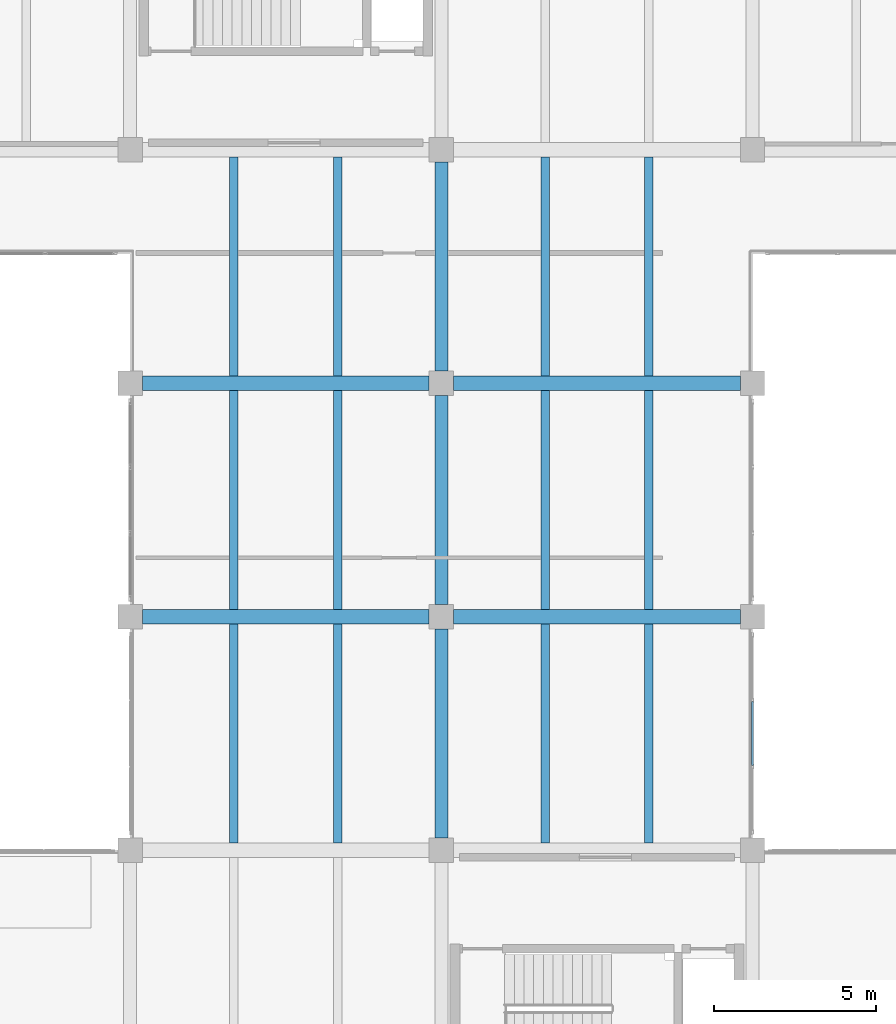
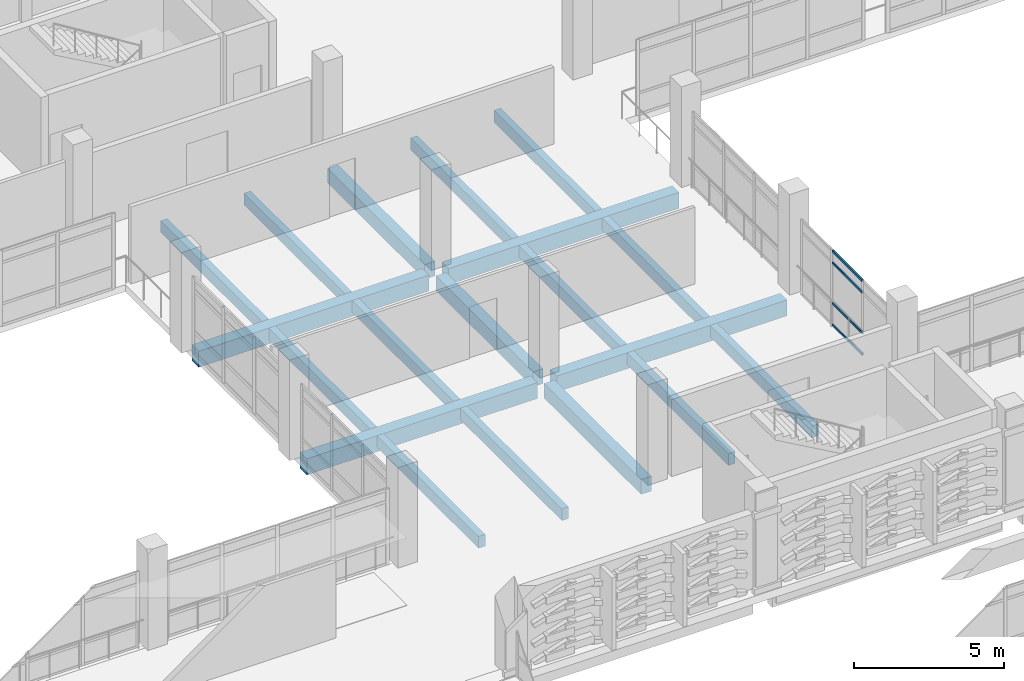
# One storey, part 95 of 180: 19 beams, 4 members, 1 element without a shape of its own.
"""IFC4 building model written with IfcOpenShell, lengths in metres."""

import ifcopenshell
import ifcopenshell.guid

model = None  # the IFC model being written
_history = None  # IfcOwnerHistory: only IFC2X3 demands one
_inside = {}  # id of a spatial element -> (the spatial element, [elements in it])
_under = {}  # id of a project, library or spatial element -> (it, [spatial elements below it])
_declared = {}  # id of a project -> (the project, [libraries it declares])
_typed = {}  # id of a type object -> (the type object, [elements of that type])
_made_of = {}  # id of a material, layer set ... -> (it, [elements and type objects made of it])


def new_model(schema):
    """Start an empty IFC model of exactly this schema.

    Asked for "IFC4X3", IfcOpenShell would pick the latest addendum, in which some entities
    have other attributes; the version numbers below select the first issue.
    IFC2X3 requires an IfcOwnerHistory on every rooted entity: one is made here for all.
    """
    global model, _history
    if schema == "IFC4X3":
        model = ifcopenshell.file(schema_version=(4, 3, 0, 0))
    else:
        model = ifcopenshell.file(schema=schema)
    _inside.clear()
    _under.clear()
    _declared.clear()
    _typed.clear()
    _made_of.clear()
    _history = None
    if model.schema == "IFC2X3":
        org = make("IfcOrganization", Name="unknown")
        user = make(
            "IfcPersonAndOrganization",
            ThePerson=make("IfcPerson", FamilyName="unknown"),
            TheOrganization=org,
        )
        app = make(
            "IfcApplication",
            ApplicationDeveloper=org,
            Version="unknown",
            ApplicationFullName="unknown",
            ApplicationIdentifier="unknown",
        )
        _history = make(
            "IfcOwnerHistory",
            OwningUser=user,
            OwningApplication=app,
            ChangeAction="ADDED",
            CreationDate=0,
        )
    return model


def make(cls, **values):
    """One entity of the class cls with the attributes given. An attribute that is None is left unset."""
    return model.create_entity(
        cls, **{name: value for name, value in values.items() if value is not None}
    )


def rooted(cls, **values):
    """An entity with a GlobalId (a new one), such as an element, a storey or a relation."""
    return make(cls, GlobalId=ifcopenshell.guid.new(), OwnerHistory=_history, **values)


def si_unit(unit_type, name, prefix=None):
    """IfcSIUnit, for example si_unit("LENGTHUNIT", "METRE", prefix="MILLI")."""
    return make("IfcSIUnit", UnitType=unit_type, Prefix=prefix, Name=name)


def assignment(units):
    """IfcUnitAssignment: the units of a project."""
    return None if units is None else make("IfcUnitAssignment", Units=units)


def point(xyz):
    """IfcCartesianPoint."""
    return None if xyz is None else make("IfcCartesianPoint", Coordinates=xyz)


def direction(xyz):
    """IfcDirection."""
    return None if xyz is None else make("IfcDirection", DirectionRatios=xyz)


def frame(location, z_axis=None, x_axis=None):
    """IfcAxis2Placement3D, a coordinate frame: its origin and axes. An axis left out is left unset."""
    return make(
        "IfcAxis2Placement3D",
        Location=point(location),
        Axis=direction(z_axis),
        RefDirection=direction(x_axis),
    )


def frame_2d(location, x_axis=None):
    """IfcAxis2Placement2D, a coordinate frame in the plane: its origin and x axis."""
    return make(
        "IfcAxis2Placement2D", Location=point(location), RefDirection=direction(x_axis)
    )


def origin():
    """The frame at (0, 0, 0) with its axes left unset."""
    return frame((0.0, 0.0, 0.0))


def origin_2d():
    """The frame at (0, 0) in the plane with its x axis left unset."""
    return frame_2d((0.0, 0.0))


def place(relative_to, where):
    """IfcLocalPlacement: puts the frame where relative to a parent placement (None: the world)."""
    return make(
        "IfcLocalPlacement", PlacementRelTo=relative_to, RelativePlacement=where
    )


def context(
    kind, dimensions, precision=None, world=None, true_north=None, identifier=None
):
    """IfcGeometricRepresentationContext, for example the 3D "Model" context."""
    return make(
        "IfcGeometricRepresentationContext",
        ContextIdentifier=identifier,
        ContextType=kind,
        CoordinateSpaceDimension=dimensions,
        Precision=precision,
        WorldCoordinateSystem=world,
        TrueNorth=true_north,
    )


def subcontext(parent, identifier, kind, view, scale=None):
    """IfcGeometricRepresentationSubContext, for example "Body" below "Model"."""
    return make(
        "IfcGeometricRepresentationSubContext",
        ContextIdentifier=identifier,
        ContextType=kind,
        ParentContext=parent,
        TargetScale=scale,
        TargetView=view,
    )


def project(units=None, contexts=None):
    """IfcProject with its units and contexts."""
    return rooted(
        "IfcProject",
        Name="project",
        RepresentationContexts=contexts,
        UnitsInContext=assignment(units),
    )


def spatial(cls, under=None, at=None, **own):
    """A site, building, storey or space (cls), placed at a placement, below another one or the project."""
    s = rooted(cls, ObjectPlacement=at, **own)
    if under is not None:
        _under.setdefault(under.id(), (under, []))[1].append(s)
    return s


def profile(cls, at=None, kind="AREA", **sizes):
    """A parametric profile (cls). Its sizes go by their IFC names, for example OverallWidth=200.0."""
    return make(cls, ProfileType=kind, Position=at, **sizes)


def rectangle(**sizes):
    """IfcRectangleProfileDef."""
    return profile("IfcRectangleProfileDef", **sizes)


def hollow_rectangle(**sizes):
    """IfcRectangleHollowProfileDef."""
    return profile("IfcRectangleHollowProfileDef", **sizes)


def extrude(swept, where, along, depth):
    """IfcExtrudedAreaSolid: the profile swept, set in the frame where, extruded along a direction by depth."""
    return make(
        "IfcExtrudedAreaSolid",
        SweptArea=swept,
        Position=where,
        ExtrudedDirection=direction(along),
        Depth=depth,
    )


def shape(context_of_items, identifier, shape_type, items):
    """IfcShapeRepresentation: the items that make up one representation, for example the "Body"."""
    return make(
        "IfcShapeRepresentation",
        ContextOfItems=context_of_items,
        RepresentationIdentifier=identifier,
        RepresentationType=shape_type,
        Items=items,
    )


def material(Name=None, Category=None):
    """IfcMaterial."""
    return make("IfcMaterial", Name=Name, Category=Category)


def layer(
    of_material, thickness, ventilated=None, Name=None, Category=None, Priority=None
):
    """IfcMaterialLayer: one layer of a wall or slab, of a material (None: an air gap)."""
    return make(
        "IfcMaterialLayer",
        Material=of_material,
        LayerThickness=thickness,
        IsVentilated=ventilated,
        Name=Name,
        Category=Category,
        Priority=Priority,
    )


def layer_set(layers, Name=None):
    """IfcMaterialLayerSet."""
    return make("IfcMaterialLayerSet", MaterialLayers=layers, LayerSetName=Name)


def material_profile(
    of_material, cross_section, Name=None, Category=None, Priority=None
):
    """IfcMaterialProfile: a cross section and its material."""
    return make(
        "IfcMaterialProfile",
        Name=Name,
        Material=of_material,
        Profile=cross_section,
        Priority=Priority,
        Category=Category,
    )


def profile_set(profiles, Name=None, composite=None):
    """IfcMaterialProfileSet."""
    return make(
        "IfcMaterialProfileSet",
        Name=Name,
        MaterialProfiles=profiles,
        CompositeProfile=composite,
    )


def made_of(thing, what):
    """Note that an element or type object is made of a material, layer set ...; save() writes the relation."""
    if what is not None:
        _made_of.setdefault(what.id(), (what, []))[1].append(thing)
    return thing


def type_object(cls, material=None, **own):
    """A type object (cls), such as IfcWallType, which elements share."""
    return made_of(rooted(cls, **own), material)


def element(
    cls,
    number,
    at=None,
    inside=None,
    cuts=None,
    type_object=None,
    material=None,
    context=None,
    identifier="Body",
    shape_type=None,
    held_by="IfcProductDefinitionShape",
    body=None,
    shapes=None,
    **own,
):
    """One element of the class cls, such as IfcWall. Its Tag is "e" and its number.

    at: its placement. inside: the storey or other place that contains it. cuts: it is an
    opening in that element (IfcRelVoidsElement). A single representation is given by context,
    identifier, shape_type and body (its items); several are given by shapes. held_by: the class
    of the entity that holds the representations. save() writes the other relations.
    """
    e = rooted(cls, Tag="e%d" % number, ObjectPlacement=at, **own)
    if body is not None:
        shapes = [shape(context, identifier, shape_type, body)]
    if shapes is not None:
        e.Representation = make(held_by, Representations=shapes)
    if inside is not None:
        _inside.setdefault(inside.id(), (inside, []))[1].append(e)
    if cuts is not None:
        rooted(
            "IfcRelVoidsElement", RelatingBuildingElement=cuts, RelatedOpeningElement=e
        )
    if type_object is not None:
        _typed.setdefault(type_object.id(), (type_object, []))[1].append(e)
    return made_of(e, material)


def aggregate(whole, parts):
    """IfcRelAggregates: a whole, such as a stair, and the parts it consists of."""
    return rooted("IfcRelAggregates", RelatingObject=whole, RelatedObjects=parts)


def save(model, path):
    """Write the relations noted so far, then the file.

    IfcRelAggregates (storeys below a building ...), IfcRelContainedInSpatialStructure (elements
    in a storey), IfcRelDefinesByType, IfcRelAssociatesMaterial and IfcRelDeclares: one each for
    every whole, place, type object, material and project.
    """
    for whole, parts in _under.values():
        aggregate(whole, parts)
    for where, things in _inside.values():
        rooted(
            "IfcRelContainedInSpatialStructure",
            RelatedElements=things,
            RelatingStructure=where,
        )
    for kind, things in _typed.values():
        rooted("IfcRelDefinesByType", RelatedObjects=things, RelatingType=kind)
    for what, things in _made_of.values():
        rooted("IfcRelAssociatesMaterial", RelatedObjects=things, RelatingMaterial=what)
    for by, libraries in _declared.values():
        rooted("IfcRelDeclares", RelatingContext=by, RelatedDefinitions=libraries)
    model.write(path)


model = new_model("IFC4")

# Units and contexts
model_context = context("Model", 3, precision=1e-05, world=origin(), true_north=direction((0.0, 1.0)))
body_context = subcontext(model_context, "Body", "Model", "MODEL_VIEW")
ifc_project = project(units=[si_unit("LENGTHUNIT", "METRE"), si_unit("AREAUNIT", "SQUARE_METRE"), si_unit("VOLUMEUNIT", "CUBIC_METRE"), si_unit("PLANEANGLEUNIT", "RADIAN"), si_unit("MASSUNIT", "GRAM", prefix="KILO")], contexts=[model_context])

# Site, building, storey
site_placement = place(None, origin())
site = spatial("IfcSite", under=ifc_project, at=site_placement, CompositionType="ELEMENT")
building_placement = place(site_placement, origin())
building = spatial("IfcBuilding", under=site, at=building_placement, Name="Asteropetra Specialist Clinic", CompositionType="ELEMENT")
storey_placement = place(building_placement, frame((0.0, 0.0, 4.419921875)))
storey = spatial("IfcBuildingStorey", under=building, at=storey_placement, Name="L01", CompositionType="ELEMENT", Elevation=4.419921875)

# Beams
ifc_material_1 = material(Name="Concrete C35/45", Category="concrete")
ifc_material_profile_1 = material_profile(ifc_material_1, rectangle(XDim=0.39990234375, YDim=0.60009765625, at=origin_2d()), Name="RCB 400x600")
ifc_profile_set_1 = profile_set([ifc_material_profile_1], Name="Concrete C35/45")
beam_type_1 = type_object("IfcBeamType", Name="BM-RC400x600", PredefinedType="BEAM", material=ifc_profile_set_1)
for number, where, z_axis, x_axis, name in (
    (1, (38.39990234375, 77.175048828125, -0.579833984375), (0.0, 1.0, 0.0), (-1.0, 0.0, 0.0), "Beam BBM08-0686"),
    (2, (38.39990234375, 84.375, -0.579833984375), (0.0, 1.0, 0.0), (-1.0, 0.0, 0.0), "Beam BBM08-0697"),
    (3, (38.39990234375, 91.574951171875, -0.579833984375), (0.0, 1.0, 0.0), (-1.0, 0.0, 0.0), "Beam BBM08-0708"),
):
    element("IfcBeam", number, at=place(storey_placement, frame(where, z_axis=z_axis, x_axis=x_axis)), inside=storey, type_object=beam_type_1, Name=name, PredefinedType="BEAM", context=body_context, shape_type="SweptSolid", body=[
        extrude(rectangle(XDim=0.39990234375, YDim=0.60009765625, at=origin_2d()), origin(), (0.0, 0.0, 1.0), 6.449951171875),
    ])
ifc_material_2 = material(Name="Concrete C35/45", Category="concrete")
ifc_material_profile_2 = material_profile(ifc_material_2, rectangle(XDim=0.449951171875, YDim=0.64990234375, at=origin_2d()), Name="RCB 450x650")
ifc_profile_set_2 = profile_set([ifc_material_profile_2], Name="Concrete C35/45")
beam_type_2 = type_object("IfcBeamType", Name="BM-RC450x650", PredefinedType="BEAM", material=ifc_profile_set_2)
beam_1_placement = place(storey_placement, frame((29.175048828125, 84.0, -0.60498046875), z_axis=(1.0, 0.0, 0.0), x_axis=(0.0, 1.0, 0.0)))
element("IfcBeam", 4, at=beam_1_placement, inside=storey, type_object=beam_type_2, Name="Beam BBM06-0639", PredefinedType="BEAM", context=body_context, shape_type="SweptSolid", body=[
    extrude(rectangle(XDim=0.449951171875, YDim=0.64990234375, at=origin_2d()), origin(), (0.0, 0.0, 1.0), 8.849853515625),
])
beam_2_placement = place(storey_placement, frame((38.77490234375, 84.0, -0.60498046875), z_axis=(1.0, 0.0, 0.0), x_axis=(0.0, 1.0, 0.0)))
element("IfcBeam", 5, at=beam_2_placement, inside=storey, type_object=beam_type_2, Name="Beam BBM06-0640", PredefinedType="BEAM", context=body_context, shape_type="SweptSolid", body=[
    extrude(rectangle(XDim=0.449951171875, YDim=0.64990234375, at=origin_2d()), origin(), (0.0, 0.0, 1.0), 8.85009765625),
])
beam_3_placement = place(storey_placement, frame((29.175048828125, 91.199951171875, -0.60498046875), z_axis=(1.0, 0.0, 0.0), x_axis=(0.0, 1.0, 0.0)))
element("IfcBeam", 6, at=beam_3_placement, inside=storey, type_object=beam_type_2, Name="Beam BBM06-0643", PredefinedType="BEAM", context=body_context, shape_type="SweptSolid", body=[
    extrude(rectangle(XDim=0.449951171875, YDim=0.64990234375, at=origin_2d()), origin(), (0.0, 0.0, 1.0), 8.849853515625),
])
beam_4_placement = place(storey_placement, frame((38.77490234375, 91.199951171875, -0.60498046875), z_axis=(1.0, 0.0, 0.0), x_axis=(0.0, 1.0, 0.0)))
element("IfcBeam", 7, at=beam_4_placement, inside=storey, type_object=beam_type_2, Name="Beam BBM06-0644", PredefinedType="BEAM", context=body_context, shape_type="SweptSolid", body=[
    extrude(rectangle(XDim=0.449951171875, YDim=0.64990234375, at=origin_2d()), origin(), (0.0, 0.0, 1.0), 8.85009765625),
])

# Curtain wall, members
ifc_material_3 = material(Name="Aluminium and low-E glass", Category="aluminium")
ifc_layer = layer(ifc_material_3, 0.14990234375)
ifc_layer_set = layer_set([ifc_layer], Name="Aluminium and low-E glass")
curtain_wall_type = type_object("IfcCurtainWallType", Name="CW-SYS-05", PredefinedType="USERDEFINED", material=ifc_layer_set)
curtain_wall_placement = place(storey_placement, origin())
curtain_wall = element("IfcCurtainWall", 8, at=curtain_wall_placement, inside=storey, type_object=curtain_wall_type, Name="Curtain Wall CW-029", ObjectType="UNITISED CURTAIN WALL", PredefinedType="USERDEFINED")
ifc_material_4 = material(Name="Aluminium 6063-T6", Category="aluminium")
ifc_material_profile_3 = material_profile(ifc_material_4, hollow_rectangle(XDim=0.06005859375, YDim=0.10009765625, WallThickness=0.00341796875, InnerFilletRadius=0.00341796875, OuterFilletRadius=0.007080078125, at=origin_2d()), Name="TRN 100x60x3.5")
ifc_profile_set_3 = profile_set([ifc_material_profile_3], Name="Aluminium 6063-T6")
member_type = type_object("IfcMemberType", Name="CWT-100x60", PredefinedType="USERDEFINED", material=ifc_profile_set_3)
member_1_placement = place(storey_placement, frame((48.0, 81.3916015625, 0.030029296875), z_axis=(0.0, -1.0, 0.0), x_axis=(1.0, 0.0, 0.0)))
member_1 = element("IfcMember", 9, at=member_1_placement, type_object=member_type, Name="CW-029 transom 2.1", ObjectType="TRANSOM", PredefinedType="USERDEFINED", context=body_context, shape_type="SweptSolid", body=[
    extrude(hollow_rectangle(XDim=0.06005859375, YDim=0.10009765625, WallThickness=0.00341796875, InnerFilletRadius=0.00341796875, OuterFilletRadius=0.007080078125, at=origin_2d()), origin(), (0.0, 0.0, 1.0), 1.983154296875),
])
member_2_placement = place(storey_placement, frame((48.0, 81.3916015625, 0.900146484375), z_axis=(0.0, -1.0, 0.0), x_axis=(1.0, 0.0, 0.0)))
member_2 = element("IfcMember", 10, at=member_2_placement, type_object=member_type, Name="CW-029 transom 2.2", ObjectType="TRANSOM", PredefinedType="USERDEFINED", context=body_context, shape_type="SweptSolid", body=[
    extrude(hollow_rectangle(XDim=0.06005859375, YDim=0.10009765625, WallThickness=0.00341796875, InnerFilletRadius=0.00341796875, OuterFilletRadius=0.007080078125, at=origin_2d()), origin(), (0.0, 0.0, 1.0), 1.983154296875),
])
member_3_placement = place(storey_placement, frame((48.0, 81.3916015625, 2.550048828125), z_axis=(0.0, -1.0, 0.0), x_axis=(1.0, 0.0, 0.0)))
member_3 = element("IfcMember", 11, at=member_3_placement, type_object=member_type, Name="CW-029 transom 2.3", ObjectType="TRANSOM", PredefinedType="USERDEFINED", context=body_context, shape_type="SweptSolid", body=[
    extrude(hollow_rectangle(XDim=0.06005859375, YDim=0.10009765625, WallThickness=0.00341796875, InnerFilletRadius=0.00341796875, OuterFilletRadius=0.007080078125, at=origin_2d()), origin(), (0.0, 0.0, 1.0), 1.983154296875),
])
member_4_placement = place(storey_placement, frame((48.0, 81.3916015625, 3.02001953125), z_axis=(0.0, -1.0, 0.0), x_axis=(1.0, 0.0, 0.0)))
member_4 = element("IfcMember", 12, at=member_4_placement, type_object=member_type, Name="CW-029 transom 2.4", ObjectType="TRANSOM", PredefinedType="USERDEFINED", context=body_context, shape_type="SweptSolid", body=[
    extrude(hollow_rectangle(XDim=0.06005859375, YDim=0.10009765625, WallThickness=0.00341796875, InnerFilletRadius=0.00341796875, OuterFilletRadius=0.007080078125, at=origin_2d()), origin(), (0.0, 0.0, 1.0), 1.983154296875),
])
aggregate(curtain_wall, [member_1, member_2, member_3, member_4])

# Beams
ifc_material_5 = material(Name="Concrete C35/45", Category="concrete")
ifc_material_profile_4 = material_profile(ifc_material_5, rectangle(XDim=0.260009765625, YDim=0.47998046875, at=origin_2d()), Name="RCJ 260x480")
ifc_profile_set_4 = profile_set([ifc_material_profile_4], Name="Concrete C35/45")
beam_type_3 = type_object("IfcBeamType", Name="JST-RC260x480", PredefinedType="JOIST", material=ifc_profile_set_4)
for number, where, z_axis, x_axis, name in (
    (13, (32.0, 77.02490234375, -0.52001953125), (0.0, 1.0, 0.0), (-1.0, 0.0, 0.0), "Joist JJST02-0690"),
    (14, (35.199951171875, 77.02490234375, -0.52001953125), (0.0, 1.0, 0.0), (-1.0, 0.0, 0.0), "Joist JJST02-0691"),
    (15, (41.60009765625, 77.02490234375, -0.52001953125), (0.0, 1.0, 0.0), (-1.0, 0.0, 0.0), "Joist JJST02-0692"),
    (16, (44.800048828125, 77.02490234375, -0.52001953125), (0.0, 1.0, 0.0), (-1.0, 0.0, 0.0), "Joist JJST02-0693"),
    (17, (32.0, 84.22509765625, -0.52001953125), (0.0, 1.0, 0.0), (-1.0, 0.0, 0.0), "Joist JJST02-0701"),
    (18, (35.199951171875, 84.22509765625, -0.52001953125), (0.0, 1.0, 0.0), (-1.0, 0.0, 0.0), "Joist JJST02-0702"),
    (19, (41.60009765625, 84.22509765625, -0.52001953125), (0.0, 1.0, 0.0), (-1.0, 0.0, 0.0), "Joist JJST02-0703"),
    (20, (44.800048828125, 84.22509765625, -0.52001953125), (0.0, 1.0, 0.0), (-1.0, 0.0, 0.0), "Joist JJST02-0704"),
    (21, (32.0, 91.425048828125, -0.52001953125), (0.0, 1.0, 0.0), (-1.0, 0.0, 0.0), "Joist JJST02-0712"),
    (22, (35.199951171875, 91.425048828125, -0.52001953125), (0.0, 1.0, 0.0), (-1.0, 0.0, 0.0), "Joist JJST02-0713"),
    (23, (41.60009765625, 91.425048828125, -0.52001953125), (0.0, 1.0, 0.0), (-1.0, 0.0, 0.0), "Joist JJST02-0714"),
    (24, (44.800048828125, 91.425048828125, -0.52001953125), (0.0, 1.0, 0.0), (-1.0, 0.0, 0.0), "Joist JJST02-0715"),
):
    element("IfcBeam", number, at=place(storey_placement, frame(where, z_axis=z_axis, x_axis=x_axis)), inside=storey, type_object=beam_type_3, Name=name, PredefinedType="JOIST", context=body_context, shape_type="SweptSolid", body=[
        extrude(rectangle(XDim=0.260009765625, YDim=0.47998046875, at=origin_2d()), origin(), (0.0, 0.0, 1.0), 6.75),
    ])

save(model, "model.ifc")
